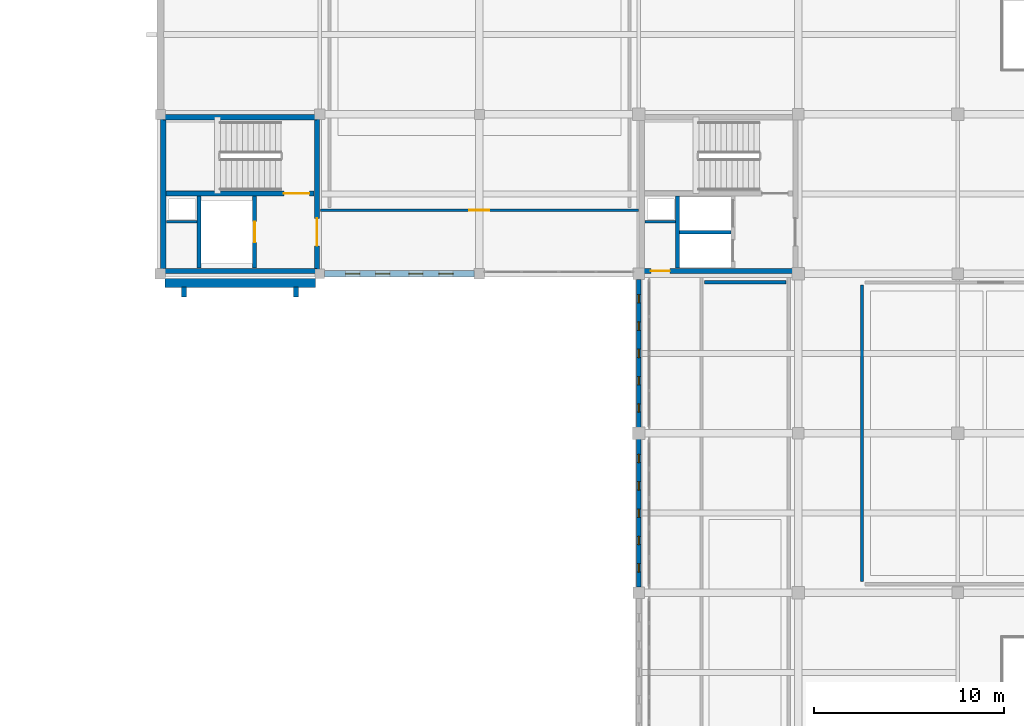
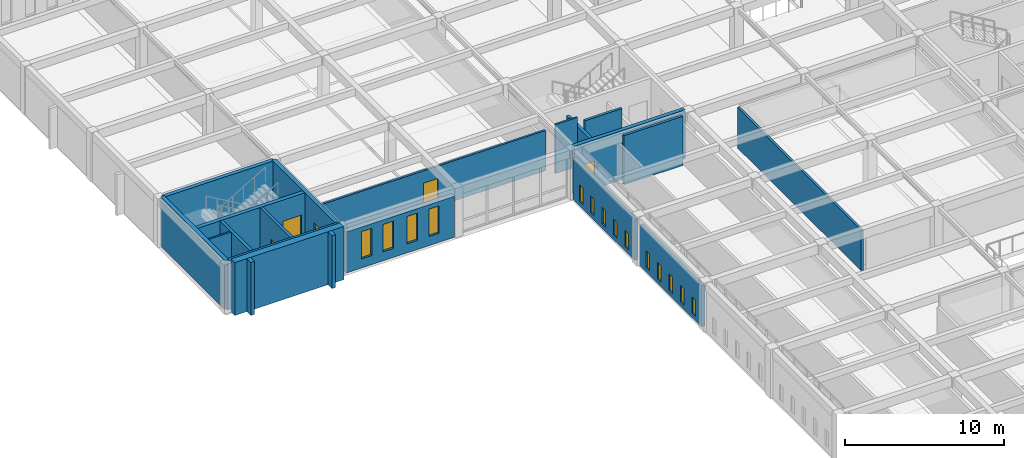
# One storey, part 36 of 47: 21 walls, 14 windows, 5 doors, 19 openings.
"""IFC4 building model written with IfcOpenShell, lengths in metres."""

from ifc_helpers import new_model, si_unit, direction, frame, frame_2d, origin, place, context, subcontext, project, spatial, rectangle, extrude, material, layer, layer_set, type_object, element, fill, save


model = new_model("IFC4")

# Units and contexts
model_context = context("Model", 3, precision=1e-05, world=origin(), true_north=direction((0.0, 1.0)))
body_context = subcontext(model_context, "Body", "Model", "MODEL_VIEW")
ifc_project = project(units=[si_unit("LENGTHUNIT", "METRE"), si_unit("AREAUNIT", "SQUARE_METRE"), si_unit("VOLUMEUNIT", "CUBIC_METRE"), si_unit("PLANEANGLEUNIT", "RADIAN"), si_unit("MASSUNIT", "GRAM", prefix="KILO")], contexts=[model_context])

# Site, building, storey
site_placement = place(None, origin())
site = spatial("IfcSite", under=ifc_project, at=site_placement, CompositionType="ELEMENT")
building_placement = place(site_placement, origin())
building = spatial("IfcBuilding", under=site, at=building_placement, Name="Kveldsbrygga Polytechnic", CompositionType="ELEMENT")
storey_placement = place(building_placement, frame((0.0, 0.0, 13.93994140625)))
storey = spatial("IfcBuildingStorey", under=building, at=storey_placement, Name="L03", CompositionType="ELEMENT", Elevation=13.93994140625)

# Wall
ifc_material_1 = material(Name="Fired clay brick masonry M10", Category="masonry")
ifc_layer_1 = layer(ifc_material_1, 0.47998046875)
ifc_layer_set_1 = layer_set([ifc_layer_1], Name="Fired clay brick masonry M10")
wall_type_1 = type_object("IfcWallType", Name="EW-BAST-480", PredefinedType="SOLIDWALL", material=ifc_layer_set_1)
wall_1_placement = place(storey_placement, frame((101.0400390625, 83.52001953125, 0.0), z_axis=(0.0, 0.0, 1.0), x_axis=(1.0, 0.0, 0.0)))
element("IfcWall", 1, at=wall_1_placement, inside=storey, type_object=wall_type_1, Name="Corner Stair Bastion Wall BAST-L03-X-12-10", PredefinedType="SOLIDWALL", context=body_context, shape_type="SweptSolid", body=[
    extrude(rectangle(XDim=7.919921875, YDim=0.47998046875, at=frame_2d((3.9599609375, 0.0))), origin(), (0.0, 0.0, 1.0), 4.080078125),
])

# Wall, openings, windows
ifc_layer_2 = layer(ifc_material_1, 0.360107421875)
ifc_layer_set_2 = layer_set([ifc_layer_2], Name="Fired clay brick masonry M10")
wall_type_2 = type_object("IfcWallType", Name="EW-BRICK-360", PredefinedType="SOLIDWALL", material=ifc_layer_set_2)
wall_2_placement = place(storey_placement, frame((109.43505859375, 84.0, 0.0), z_axis=(0.0, 0.0, 1.0), x_axis=(1.0, 0.0, 0.0)))
wall_2 = element("IfcWall", 2, at=wall_2_placement, inside=storey, type_object=wall_type_2, Name="Exterior Brick Wall EW-L03-X-13-10", PredefinedType="SOLIDWALL", context=body_context, shape_type="SweptSolid", body=[
    extrude(rectangle(XDim=7.905029296875, YDim=0.360107421875, at=frame_2d((3.95263671875, 0.0))), origin(), (0.0, 0.0, 1.0), 3.150146484375),
])
opening_1_placement = place(wall_2_placement, frame((1.126953125, 0.0, 0.699951171875)))
opening_1 = element("IfcOpeningElement", 3, at=opening_1_placement, cuts=wall_2, Name="Opening W-27", PredefinedType="OPENING", context=body_context, shape_type="SweptSolid", body=[
    extrude(rectangle(XDim=0.75, YDim=2.10009765625, at=frame_2d((0.375, 1.050048828125))), frame((0.0, 0.18994140625, 0.0), z_axis=(0.0, -1.0, 0.0), x_axis=(1.0, 0.0, 0.0)), (0.0, 0.0, 1.0), 0.380126953125),
])
opening_2_placement = place(wall_2_placement, frame((2.7080078125, 0.0, 0.699951171875)))
opening_2 = element("IfcOpeningElement", 4, at=opening_2_placement, cuts=wall_2, Name="Opening W-27", PredefinedType="OPENING", context=body_context, shape_type="SweptSolid", body=[
    extrude(rectangle(XDim=0.75, YDim=2.10009765625, at=frame_2d((0.375, 1.050048828125))), frame((0.0, 0.18994140625, 0.0), z_axis=(0.0, -1.0, 0.0), x_axis=(1.0, 0.0, 0.0)), (0.0, 0.0, 1.0), 0.380126953125),
])
opening_3_placement = place(wall_2_placement, frame((4.447021484375, 0.0, 0.699951171875)))
opening_3 = element("IfcOpeningElement", 5, at=opening_3_placement, cuts=wall_2, Name="Opening W-27", PredefinedType="OPENING", context=body_context, shape_type="SweptSolid", body=[
    extrude(rectangle(XDim=0.75, YDim=2.10009765625, at=frame_2d((0.375, 1.050048828125))), frame((0.0, 0.18994140625, 0.0), z_axis=(0.0, -1.0, 0.0), x_axis=(1.0, 0.0, 0.0)), (0.0, 0.0, 1.0), 0.380126953125),
])
opening_4_placement = place(wall_2_placement, frame((6.028076171875, 0.0, 0.699951171875)))
opening_4 = element("IfcOpeningElement", 6, at=opening_4_placement, cuts=wall_2, Name="Opening W-27", PredefinedType="OPENING", context=body_context, shape_type="SweptSolid", body=[
    extrude(rectangle(XDim=0.75, YDim=2.10009765625, at=frame_2d((0.375, 1.050048828125))), frame((0.0, 0.18994140625, 0.0), z_axis=(0.0, -1.0, 0.0), x_axis=(1.0, 0.0, 0.0)), (0.0, 0.0, 1.0), 0.380126953125),
])
ifc_material_2 = material(Name="Insulated triple low-E glass", Category="glass")
window_type_1 = type_object("IfcWindowType", Name="WN-ATTIC-075x210", PartitioningType="DOUBLE_PANEL_VERTICAL", PredefinedType="WINDOW", material=ifc_material_2)
window_1_placement = place(opening_1_placement, origin())
window_1 = element("IfcWindow", 7, at=window_1_placement, inside=storey, type_object=window_type_1, Name="Gothic Lancet Window WIN-L03-X-13-10-1", OverallHeight=2.10009765625, OverallWidth=0.75, PartitioningType="DOUBLE_PANEL_VERTICAL", PredefinedType="WINDOW", context=body_context, shape_type="SweptSolid", body=[
    extrude(rectangle(XDim=0.75, YDim=2.10009765625, at=frame_2d((0.375, 1.050048828125))), frame((0.0, 0.030029296875, 0.0), z_axis=(0.0, -1.0, 0.0), x_axis=(1.0, 0.0, 0.0)), (0.0, 0.0, 1.0), 0.06005859375),
])
fill(opening_1, window_1)
window_2_placement = place(opening_2_placement, origin())
window_2 = element("IfcWindow", 8, at=window_2_placement, inside=storey, type_object=window_type_1, Name="Gothic Lancet Window WIN-L03-X-13-10-2", OverallHeight=2.10009765625, OverallWidth=0.75, PartitioningType="DOUBLE_PANEL_VERTICAL", PredefinedType="WINDOW", context=body_context, shape_type="SweptSolid", body=[
    extrude(rectangle(XDim=0.75, YDim=2.10009765625, at=frame_2d((0.375, 1.050048828125))), frame((0.0, 0.030029296875, 0.0), z_axis=(0.0, -1.0, 0.0), x_axis=(1.0, 0.0, 0.0)), (0.0, 0.0, 1.0), 0.06005859375),
])
fill(opening_2, window_2)
window_3_placement = place(opening_3_placement, origin())
window_3 = element("IfcWindow", 9, at=window_3_placement, inside=storey, type_object=window_type_1, Name="Gothic Lancet Window WIN-L03-X-13-10-3", OverallHeight=2.10009765625, OverallWidth=0.75, PartitioningType="DOUBLE_PANEL_VERTICAL", PredefinedType="WINDOW", context=body_context, shape_type="SweptSolid", body=[
    extrude(rectangle(XDim=0.75, YDim=2.10009765625, at=frame_2d((0.375, 1.050048828125))), frame((0.0, 0.030029296875, 0.0), z_axis=(0.0, -1.0, 0.0), x_axis=(1.0, 0.0, 0.0)), (0.0, 0.0, 1.0), 0.06005859375),
])
fill(opening_3, window_3)
window_4_placement = place(opening_4_placement, origin())
window_4 = element("IfcWindow", 10, at=window_4_placement, inside=storey, type_object=window_type_1, Name="Gothic Lancet Window WIN-L03-X-13-10-4", OverallHeight=2.10009765625, OverallWidth=0.75, PartitioningType="DOUBLE_PANEL_VERTICAL", PredefinedType="WINDOW", context=body_context, shape_type="SweptSolid", body=[
    extrude(rectangle(XDim=0.75, YDim=2.10009765625, at=frame_2d((0.375, 1.050048828125))), frame((0.0, 0.030029296875, 0.0), z_axis=(0.0, -1.0, 0.0), x_axis=(1.0, 0.0, 0.0)), (0.0, 0.0, 1.0), 0.06005859375),
])
fill(opening_4, window_4)

# Walls
ifc_layer_3 = layer(ifc_material_1, 0.260009765625)
ifc_layer_set_3 = layer_set([ifc_layer_3], Name="Fired clay brick masonry M10")
wall_type_3 = type_object("IfcWallType", Name="EW-BUTT-260", PredefinedType="SOLIDWALL", material=ifc_layer_set_3)
for number, where, z_axis, x_axis, name in (
    (11, (102.050048828125, 83.300048828125, 0.0), (0.0, 0.0, 1.0), (0.0, -1.0, 0.0), "Gothic Brick Buttress Pier BCLAS-L03-X-12-10-1"),
    (12, (107.949951171875, 83.300048828125, 0.0), (0.0, 0.0, 1.0), (0.0, -1.0, 0.0), "Gothic Brick Buttress Pier BCLAS-L03-X-12-10-2"),
):
    element("IfcWall", number, at=place(storey_placement, frame(where, z_axis=z_axis, x_axis=x_axis)), inside=storey, type_object=wall_type_3, Name=name, PredefinedType="SOLIDWALL", context=body_context, shape_type="SweptSolid", body=[
        extrude(rectangle(XDim=0.52001953125, YDim=0.260009765625, at=frame_2d((0.260009765625, 0.0))), origin(), (0.0, 0.0, 1.0), 4.080078125),
    ])

# Wall, openings, windows
ifc_layer_4 = layer(ifc_material_1, 0.239990234375)
ifc_layer_set_4 = layer_set([ifc_layer_4], Name="Fired clay brick masonry M10")
wall_type_4 = type_object("IfcWallType", Name="EW-SCRN-240", PredefinedType="SOLIDWALL", material=ifc_layer_set_4)
wall_3_placement = place(storey_placement, frame((126.0, 67.4951171875, 0.0), z_axis=(0.0, 0.0, 1.0), x_axis=(0.0, 1.0, 0.0)))
wall_3 = element("IfcWall", 13, at=wall_3_placement, inside=storey, type_object=wall_type_4, Name="Perforated Brick Corridor Screen Wall SCRW-L03-Y-15-08", PredefinedType="SOLIDWALL", context=body_context, shape_type="SweptSolid", body=[
    extrude(rectangle(XDim=7.794921875, YDim=0.239990234375, at=frame_2d((3.8974609375, 0.0))), origin(), (0.0, 0.0, 1.0), 3.150146484375),
])
opening_5_placement = place(wall_3_placement, frame((0.799560546875, 0.0, 0.35009765625)))
opening_5 = element("IfcOpeningElement", 14, at=opening_5_placement, cuts=wall_3, Name="Opening W-48", PredefinedType="OPENING", context=body_context, shape_type="SweptSolid", body=[
    extrude(rectangle(XDim=0.43994140625, YDim=1.25, at=frame_2d((0.219970703125, 0.625))), frame((0.0, 0.1298828125, 0.0), z_axis=(0.0, -1.0, 0.0), x_axis=(1.0, 0.0, 0.0)), (0.0, 0.0, 1.0), 0.260009765625),
])
opening_6_placement = place(wall_3_placement, frame((2.238525390625, 0.0, 0.35009765625)))
opening_6 = element("IfcOpeningElement", 15, at=opening_6_placement, cuts=wall_3, Name="Opening W-48", PredefinedType="OPENING", context=body_context, shape_type="SweptSolid", body=[
    extrude(rectangle(XDim=0.43994140625, YDim=1.25, at=frame_2d((0.219970703125, 0.625))), frame((0.0, 0.1298828125, 0.0), z_axis=(0.0, -1.0, 0.0), x_axis=(1.0, 0.0, 0.0)), (0.0, 0.0, 1.0), 0.260009765625),
])
opening_7_placement = place(wall_3_placement, frame((3.677490234375, 0.0, 0.35009765625)))
opening_7 = element("IfcOpeningElement", 16, at=opening_7_placement, cuts=wall_3, Name="Opening W-48", PredefinedType="OPENING", context=body_context, shape_type="SweptSolid", body=[
    extrude(rectangle(XDim=0.43994140625, YDim=1.25, at=frame_2d((0.219970703125, 0.625))), frame((0.0, 0.1298828125, 0.0), z_axis=(0.0, -1.0, 0.0), x_axis=(1.0, 0.0, 0.0)), (0.0, 0.0, 1.0), 0.260009765625),
])
opening_8_placement = place(wall_3_placement, frame((5.116455078125, 0.0, 0.35009765625)))
opening_8 = element("IfcOpeningElement", 17, at=opening_8_placement, cuts=wall_3, Name="Opening W-48", PredefinedType="OPENING", context=body_context, shape_type="SweptSolid", body=[
    extrude(rectangle(XDim=0.43994140625, YDim=1.25, at=frame_2d((0.219970703125, 0.625))), frame((0.0, 0.1298828125, 0.0), z_axis=(0.0, -1.0, 0.0), x_axis=(1.0, 0.0, 0.0)), (0.0, 0.0, 1.0), 0.260009765625),
])
opening_9_placement = place(wall_3_placement, frame((6.555419921875, 0.0, 0.35009765625)))
opening_9 = element("IfcOpeningElement", 18, at=opening_9_placement, cuts=wall_3, Name="Opening W-48", PredefinedType="OPENING", context=body_context, shape_type="SweptSolid", body=[
    extrude(rectangle(XDim=0.43994140625, YDim=1.25, at=frame_2d((0.219970703125, 0.625))), frame((0.0, 0.1298828125, 0.0), z_axis=(0.0, -1.0, 0.0), x_axis=(1.0, 0.0, 0.0)), (0.0, 0.0, 1.0), 0.260009765625),
])
window_type_2 = type_object("IfcWindowType", Name="WN-SCRN-044x125", PartitioningType="SINGLE_PANEL", PredefinedType="WINDOW", material=ifc_material_2)
window_5_placement = place(opening_5_placement, origin())
window_5 = element("IfcWindow", 19, at=window_5_placement, inside=storey, type_object=window_type_2, Name="Perforated Screen Aperture L03-Y-15-08-1", OverallHeight=1.25, OverallWidth=0.43994140625, PartitioningType="SINGLE_PANEL", PredefinedType="WINDOW", context=body_context, shape_type="SweptSolid", body=[
    extrude(rectangle(XDim=0.43994140625, YDim=1.25, at=frame_2d((0.219970703125, 0.625))), frame((0.0, 0.030029296875, 0.0), z_axis=(0.0, -1.0, 0.0), x_axis=(1.0, 0.0, 0.0)), (0.0, 0.0, 1.0), 0.06005859375),
])
fill(opening_5, window_5)
window_6_placement = place(opening_6_placement, origin())
window_6 = element("IfcWindow", 20, at=window_6_placement, inside=storey, type_object=window_type_2, Name="Perforated Screen Aperture L03-Y-15-08-2", OverallHeight=1.25, OverallWidth=0.43994140625, PartitioningType="SINGLE_PANEL", PredefinedType="WINDOW", context=body_context, shape_type="SweptSolid", body=[
    extrude(rectangle(XDim=0.43994140625, YDim=1.25, at=frame_2d((0.219970703125, 0.625))), frame((0.0, 0.030029296875, 0.0), z_axis=(0.0, -1.0, 0.0), x_axis=(1.0, 0.0, 0.0)), (0.0, 0.0, 1.0), 0.06005859375),
])
fill(opening_6, window_6)
window_7_placement = place(opening_7_placement, origin())
window_7 = element("IfcWindow", 21, at=window_7_placement, inside=storey, type_object=window_type_2, Name="Perforated Screen Aperture L03-Y-15-08-3", OverallHeight=1.25, OverallWidth=0.43994140625, PartitioningType="SINGLE_PANEL", PredefinedType="WINDOW", context=body_context, shape_type="SweptSolid", body=[
    extrude(rectangle(XDim=0.43994140625, YDim=1.25, at=frame_2d((0.219970703125, 0.625))), frame((0.0, 0.030029296875, 0.0), z_axis=(0.0, -1.0, 0.0), x_axis=(1.0, 0.0, 0.0)), (0.0, 0.0, 1.0), 0.06005859375),
])
fill(opening_7, window_7)
window_8_placement = place(opening_8_placement, origin())
window_8 = element("IfcWindow", 22, at=window_8_placement, inside=storey, type_object=window_type_2, Name="Perforated Screen Aperture L03-Y-15-08-4", OverallHeight=1.25, OverallWidth=0.43994140625, PartitioningType="SINGLE_PANEL", PredefinedType="WINDOW", context=body_context, shape_type="SweptSolid", body=[
    extrude(rectangle(XDim=0.43994140625, YDim=1.25, at=frame_2d((0.219970703125, 0.625))), frame((0.0, 0.030029296875, 0.0), z_axis=(0.0, -1.0, 0.0), x_axis=(1.0, 0.0, 0.0)), (0.0, 0.0, 1.0), 0.06005859375),
])
fill(opening_8, window_8)
window_9_placement = place(opening_9_placement, origin())
window_9 = element("IfcWindow", 23, at=window_9_placement, inside=storey, type_object=window_type_2, Name="Perforated Screen Aperture L03-Y-15-08-5", OverallHeight=1.25, OverallWidth=0.43994140625, PartitioningType="SINGLE_PANEL", PredefinedType="WINDOW", context=body_context, shape_type="SweptSolid", body=[
    extrude(rectangle(XDim=0.43994140625, YDim=1.25, at=frame_2d((0.219970703125, 0.625))), frame((0.0, 0.030029296875, 0.0), z_axis=(0.0, -1.0, 0.0), x_axis=(1.0, 0.0, 0.0)), (0.0, 0.0, 1.0), 0.06005859375),
])
fill(opening_9, window_9)

wall_4_placement = place(storey_placement, frame((126.0, 75.909912109375, 0.0), z_axis=(0.0, 0.0, 1.0), x_axis=(0.0, 1.0, 0.0)))
wall_4 = element("IfcWall", 24, at=wall_4_placement, inside=storey, type_object=wall_type_4, Name="Perforated Brick Corridor Screen Wall SCRW-L03-Y-15-09", PredefinedType="SOLIDWALL", context=body_context, shape_type="SweptSolid", body=[
    extrude(rectangle(XDim=7.795166015625, YDim=0.239990234375, at=frame_2d((3.8974609375, 0.0))), origin(), (0.0, 0.0, 1.0), 3.150146484375),
])
opening_10_placement = place(wall_4_placement, frame((0.799560546875, 0.0, 0.35009765625)))
opening_10 = element("IfcOpeningElement", 25, at=opening_10_placement, cuts=wall_4, Name="Opening W-48", PredefinedType="OPENING", context=body_context, shape_type="SweptSolid", body=[
    extrude(rectangle(XDim=0.43994140625, YDim=1.25, at=frame_2d((0.219970703125, 0.625))), frame((0.0, 0.1298828125, 0.0), z_axis=(0.0, -1.0, 0.0), x_axis=(1.0, 0.0, 0.0)), (0.0, 0.0, 1.0), 0.260009765625),
])
opening_11_placement = place(wall_4_placement, frame((2.238525390625, 0.0, 0.35009765625)))
opening_11 = element("IfcOpeningElement", 26, at=opening_11_placement, cuts=wall_4, Name="Opening W-48", PredefinedType="OPENING", context=body_context, shape_type="SweptSolid", body=[
    extrude(rectangle(XDim=0.43994140625, YDim=1.25, at=frame_2d((0.219970703125, 0.625))), frame((0.0, 0.1298828125, 0.0), z_axis=(0.0, -1.0, 0.0), x_axis=(1.0, 0.0, 0.0)), (0.0, 0.0, 1.0), 0.260009765625),
])
opening_12_placement = place(wall_4_placement, frame((3.677490234375, 0.0, 0.35009765625)))
opening_12 = element("IfcOpeningElement", 27, at=opening_12_placement, cuts=wall_4, Name="Opening W-48", PredefinedType="OPENING", context=body_context, shape_type="SweptSolid", body=[
    extrude(rectangle(XDim=0.43994140625, YDim=1.25, at=frame_2d((0.219970703125, 0.625))), frame((0.0, 0.1298828125, 0.0), z_axis=(0.0, -1.0, 0.0), x_axis=(1.0, 0.0, 0.0)), (0.0, 0.0, 1.0), 0.260009765625),
])
opening_13_placement = place(wall_4_placement, frame((5.116455078125, 0.0, 0.35009765625)))
opening_13 = element("IfcOpeningElement", 28, at=opening_13_placement, cuts=wall_4, Name="Opening W-48", PredefinedType="OPENING", context=body_context, shape_type="SweptSolid", body=[
    extrude(rectangle(XDim=0.43994140625, YDim=1.25, at=frame_2d((0.219970703125, 0.625))), frame((0.0, 0.1298828125, 0.0), z_axis=(0.0, -1.0, 0.0), x_axis=(1.0, 0.0, 0.0)), (0.0, 0.0, 1.0), 0.260009765625),
])
opening_14_placement = place(wall_4_placement, frame((6.555419921875, 0.0, 0.35009765625)))
opening_14 = element("IfcOpeningElement", 29, at=opening_14_placement, cuts=wall_4, Name="Opening W-48", PredefinedType="OPENING", context=body_context, shape_type="SweptSolid", body=[
    extrude(rectangle(XDim=0.43994140625, YDim=1.25, at=frame_2d((0.219970703125, 0.625))), frame((0.0, 0.1298828125, 0.0), z_axis=(0.0, -1.0, 0.0), x_axis=(1.0, 0.0, 0.0)), (0.0, 0.0, 1.0), 0.260009765625),
])
window_10_placement = place(opening_10_placement, origin())
window_10 = element("IfcWindow", 30, at=window_10_placement, inside=storey, type_object=window_type_2, Name="Perforated Screen Aperture L03-Y-15-09-1", OverallHeight=1.25, OverallWidth=0.43994140625, PartitioningType="SINGLE_PANEL", PredefinedType="WINDOW", context=body_context, shape_type="SweptSolid", body=[
    extrude(rectangle(XDim=0.43994140625, YDim=1.25, at=frame_2d((0.219970703125, 0.625))), frame((0.0, 0.030029296875, 0.0), z_axis=(0.0, -1.0, 0.0), x_axis=(1.0, 0.0, 0.0)), (0.0, 0.0, 1.0), 0.06005859375),
])
fill(opening_10, window_10)
window_11_placement = place(opening_11_placement, origin())
window_11 = element("IfcWindow", 31, at=window_11_placement, inside=storey, type_object=window_type_2, Name="Perforated Screen Aperture L03-Y-15-09-2", OverallHeight=1.25, OverallWidth=0.43994140625, PartitioningType="SINGLE_PANEL", PredefinedType="WINDOW", context=body_context, shape_type="SweptSolid", body=[
    extrude(rectangle(XDim=0.43994140625, YDim=1.25, at=frame_2d((0.219970703125, 0.625))), frame((0.0, 0.030029296875, 0.0), z_axis=(0.0, -1.0, 0.0), x_axis=(1.0, 0.0, 0.0)), (0.0, 0.0, 1.0), 0.06005859375),
])
fill(opening_11, window_11)
window_12_placement = place(opening_12_placement, origin())
window_12 = element("IfcWindow", 32, at=window_12_placement, inside=storey, type_object=window_type_2, Name="Perforated Screen Aperture L03-Y-15-09-3", OverallHeight=1.25, OverallWidth=0.43994140625, PartitioningType="SINGLE_PANEL", PredefinedType="WINDOW", context=body_context, shape_type="SweptSolid", body=[
    extrude(rectangle(XDim=0.43994140625, YDim=1.25, at=frame_2d((0.219970703125, 0.625))), frame((0.0, 0.030029296875, 0.0), z_axis=(0.0, -1.0, 0.0), x_axis=(1.0, 0.0, 0.0)), (0.0, 0.0, 1.0), 0.06005859375),
])
fill(opening_12, window_12)
window_13_placement = place(opening_13_placement, origin())
window_13 = element("IfcWindow", 33, at=window_13_placement, inside=storey, type_object=window_type_2, Name="Perforated Screen Aperture L03-Y-15-09-4", OverallHeight=1.25, OverallWidth=0.43994140625, PartitioningType="SINGLE_PANEL", PredefinedType="WINDOW", context=body_context, shape_type="SweptSolid", body=[
    extrude(rectangle(XDim=0.43994140625, YDim=1.25, at=frame_2d((0.219970703125, 0.625))), frame((0.0, 0.030029296875, 0.0), z_axis=(0.0, -1.0, 0.0), x_axis=(1.0, 0.0, 0.0)), (0.0, 0.0, 1.0), 0.06005859375),
])
fill(opening_13, window_13)
window_14_placement = place(opening_14_placement, origin())
window_14 = element("IfcWindow", 34, at=window_14_placement, inside=storey, type_object=window_type_2, Name="Perforated Screen Aperture L03-Y-15-09-5", OverallHeight=1.25, OverallWidth=0.43994140625, PartitioningType="SINGLE_PANEL", PredefinedType="WINDOW", context=body_context, shape_type="SweptSolid", body=[
    extrude(rectangle(XDim=0.43994140625, YDim=1.25, at=frame_2d((0.219970703125, 0.625))), frame((0.0, 0.030029296875, 0.0), z_axis=(0.0, -1.0, 0.0), x_axis=(1.0, 0.0, 0.0)), (0.0, 0.0, 1.0), 0.06005859375),
])
fill(opening_14, window_14)

# Walls
ifc_material_3 = material(Name="Gypsum acoustic stud partition")
ifc_layer_5 = layer(ifc_material_3, 0.179931640625)
ifc_layer_set_5 = layer_set([ifc_layer_5], Name="Gypsum acoustic stud partition")
wall_type_5 = type_object("IfcWallType", Name="IW-CORR-180", PredefinedType="PARTITIONING", material=ifc_layer_set_5)
wall_5_placement = place(storey_placement, frame((129.449951171875, 83.550048828125, 0.0), z_axis=(0.0, 0.0, 1.0), x_axis=(1.0, 0.0, 0.0)))
element("IfcWall", 35, at=wall_5_placement, inside=storey, type_object=wall_type_5, Name="Partition Wall IW-SP-L03-COM1-N1", PredefinedType="PARTITIONING", context=body_context, shape_type="SweptSolid", body=[
    extrude(rectangle(XDim=4.300048828125, YDim=0.179931640625, at=frame_2d((2.14990234375, 0.0))), origin(), (0.0, 0.0, 1.0), 3.780029296875),
])
ifc_material_4 = material(Name="Moisture-resistant masonry M10", Category="masonry")
ifc_layer_6 = layer(ifc_material_4, 0.1298828125)
ifc_layer_set_6 = layer_set([ifc_layer_6], Name="Moisture-resistant masonry M10")
wall_type_6 = type_object("IfcWallType", Name="IW-SAN-130", PredefinedType="PARTITIONING", material=ifc_layer_set_6)
for number, where, z_axis, x_axis, name in (
    (36, (126.320068359375, 86.739990234375, 0.0), (0.0, 0.0, 1.0), (1.0, 0.0, 0.0), "Core AWC Divider C2-L03-W-RSR"),
    (37, (101.1201171875, 86.739990234375, 0.0), (0.0, 0.0, 1.0), (1.0, 0.0, 0.0), "Core AWC Divider C5-L03-W-RSR"),
):
    element("IfcWall", number, at=place(storey_placement, frame(where, z_axis=z_axis, x_axis=x_axis)), inside=storey, type_object=wall_type_6, Name=name, PredefinedType="PARTITIONING", context=body_context, shape_type="SweptSolid", body=[
        extrude(rectangle(XDim=1.619873046875, YDim=0.1298828125, at=frame_2d((0.81005859375, 0.0))), origin(), (0.0, 0.0, 1.0), 3.780029296875),
    ])

# Wall, opening, door
ifc_layer_7 = layer(ifc_material_3, 0.14990234375)
ifc_layer_set_7 = layer_set([ifc_layer_7], Name="Gypsum acoustic stud partition")
wall_type_7 = type_object("IfcWallType", Name="IW-SEM-150", PredefinedType="PARTITIONING", material=ifc_layer_set_7)
wall_6_placement = place(storey_placement, frame((109.22998046875, 87.35009765625, 0.0), z_axis=(0.0, 0.0, 1.0), x_axis=(1.0, 0.0, 0.0)))
wall_6 = element("IfcWall", 38, at=wall_6_placement, inside=storey, type_object=wall_type_7, Name="Partition Wall IW-SP-L03-SEM31-S1", PredefinedType="PARTITIONING", context=body_context, shape_type="SweptSolid", body=[
    extrude(rectangle(XDim=16.739990234375, YDim=0.14990234375, at=frame_2d((8.3701171875, 0.0))), origin(), (0.0, 0.0, 1.0), 3.10009765625),
])
opening_15_placement = place(wall_6_placement, frame((7.844970703125, 0.0, 0.0)))
opening_15 = element("IfcOpeningElement", 39, at=opening_15_placement, cuts=wall_6, Name="Opening ID-L03-077", PredefinedType="OPENING", context=body_context, shape_type="SweptSolid", body=[
    extrude(rectangle(XDim=1.050048828125, YDim=2.14990234375, at=frame_2d((0.52490234375, 1.074951171875))), frame((0.0, 0.0849609375, 0.0), z_axis=(0.0, -1.0, 0.0), x_axis=(1.0, 0.0, 0.0)), (0.0, 0.0, 1.0), 0.169921875),
])
ifc_material_5 = material(Name="Acoustic oak timber", Category="wood")
door_type_1 = type_object("IfcDoorType", Name="ID-SEM-105x215", OperationType="NOTDEFINED", PredefinedType="DOOR", material=ifc_material_5)
door_1_placement = place(opening_15_placement, origin())
door_1 = element("IfcDoor", 40, at=door_1_placement, inside=storey, type_object=door_type_1, Name="Interior Door ID-L03-077", OperationType="SINGLE_SWING_RIGHT", OverallHeight=2.14990234375, OverallWidth=1.050048828125, PredefinedType="DOOR", context=body_context, shape_type="SweptSolid", body=[
    extrude(rectangle(XDim=1.050048828125, YDim=2.14990234375, at=frame_2d((0.52490234375, 1.074951171875))), frame((0.0, 0.02490234375, 0.0), z_axis=(0.0, -1.0, 0.0), x_axis=(1.0, 0.0, 0.0)), (0.0, 0.0, 1.0), 0.050048828125),
])
fill(opening_15, door_1)

# Wall
ifc_layer_8 = layer(ifc_material_3, 0.159912109375)
ifc_layer_set_8 = layer_set([ifc_layer_8], Name="Gypsum acoustic stud partition")
wall_type_8 = type_object("IfcWallType", Name="IW-STD-160", PredefinedType="PARTITIONING", material=ifc_layer_set_8)
wall_7_placement = place(storey_placement, frame((137.75, 67.800048828125, 0.0), z_axis=(0.0, 0.0, 1.0), x_axis=(0.0, 1.0, 0.0)))
element("IfcWall", 41, at=wall_7_placement, inside=storey, type_object=wall_type_8, Name="Partition Wall IW-SP-L03-STD32-W1", PredefinedType="PARTITIONING", context=body_context, shape_type="SweptSolid", body=[
    extrude(rectangle(XDim=15.599853515625, YDim=0.159912109375, at=frame_2d((7.7998046875, 0.0))), origin(), (0.0, 0.0, 1.0), 3.130126953125),
])

# Wall, opening, door
ifc_material_6 = material(Name="Concrete C45/55", Category="concrete")
ifc_layer_9 = layer(ifc_material_6, 0.280029296875)
ifc_layer_set_9 = layer_set([ifc_layer_9], Name="Concrete C45/55")
wall_type_9 = type_object("IfcWallType", Name="WL-CORE-280", PredefinedType="SHEAR", material=ifc_layer_set_9)
wall_8_placement = place(storey_placement, frame((126.14990234375, 84.14990234375, 0.0), z_axis=(0.0, 0.0, 1.0), x_axis=(1.0, 0.0, 0.0)))
wall_8 = element("IfcWall", 42, at=wall_8_placement, inside=storey, type_object=wall_type_9, Name="Core C2 Shear Wall C2-L03-SW-S", PredefinedType="SHEAR", context=body_context, shape_type="SweptSolid", body=[
    extrude(rectangle(XDim=8.10009765625, YDim=0.280029296875, at=frame_2d((4.050048828125, 0.0))), origin(), (0.0, 0.0, 1.0), 3.780029296875),
])
opening_16_placement = place(wall_8_placement, frame((0.485107421875, 0.0, 0.0)))
opening_16 = element("IfcOpeningElement", 43, at=opening_16_placement, cuts=wall_8, Name="Opening ID-C2-L03-AWC", PredefinedType="OPENING", context=body_context, shape_type="SweptSolid", body=[
    extrude(rectangle(XDim=1.0, YDim=2.14990234375, at=frame_2d((0.5, 1.074951171875))), frame((0.0, 0.14990234375, 0.0), z_axis=(0.0, -1.0, 0.0), x_axis=(1.0, 0.0, 0.0)), (0.0, 0.0, 1.0), 0.300048828125),
])
door_type_2 = type_object("IfcDoorType", Name="ID-AWC-100x215", OperationType="NOTDEFINED", PredefinedType="DOOR", material=ifc_material_5)
door_2_placement = place(opening_16_placement, origin())
door_2 = element("IfcDoor", 44, at=door_2_placement, inside=storey, type_object=door_type_2, Name="Accessible WC Door ID-C2-L03-AWC", OperationType="SINGLE_SWING_RIGHT", OverallHeight=2.14990234375, OverallWidth=1.0, PredefinedType="DOOR", context=body_context, shape_type="SweptSolid", body=[
    extrude(rectangle(XDim=1.0, YDim=2.14990234375, at=frame_2d((0.5, 1.074951171875))), frame((0.0, 0.02490234375, 0.0), z_axis=(0.0, -1.0, 0.0), x_axis=(1.0, 0.0, 0.0)), (0.0, 0.0, 1.0), 0.050048828125),
])
fill(opening_16, door_2)

# Walls
for number, where, z_axis, x_axis, name in (
    (45, (100.949951171875, 84.14990234375, 0.0), (0.0, 0.0, 1.0), (1.0, 0.0, 0.0), "Core C5 Shear Wall C5-L03-SW-S"),
    (46, (100.949951171875, 92.25, 0.0), (0.0, 0.0, 1.0), (1.0, 0.0, 0.0), "Core C5 Shear Wall C5-L03-SW-N"),
    (47, (100.949951171875, 84.14990234375, 0.0), (0.0, 0.0, 1.0), (0.0, 1.0, 0.0), "Core C5 Shear Wall C5-L03-SW-W"),
):
    element("IfcWall", number, at=place(storey_placement, frame(where, z_axis=z_axis, x_axis=x_axis)), inside=storey, type_object=wall_type_9, Name=name, PredefinedType="SHEAR", context=body_context, shape_type="SweptSolid", body=[
        extrude(rectangle(XDim=8.10009765625, YDim=0.280029296875, at=frame_2d((4.050048828125, 0.0))), origin(), (0.0, 0.0, 1.0), 3.780029296875),
    ])

# Wall, opening, door
wall_9_placement = place(storey_placement, frame((109.050048828125, 84.14990234375, 0.0), z_axis=(0.0, 0.0, 1.0), x_axis=(0.0, 1.0, 0.0)))
wall_9 = element("IfcWall", 48, at=wall_9_placement, inside=storey, type_object=wall_type_9, Name="Core C5 Shear Wall C5-L03-SW-E", PredefinedType="SHEAR", context=body_context, shape_type="SweptSolid", body=[
    extrude(rectangle(XDim=8.10009765625, YDim=0.280029296875, at=frame_2d((4.050048828125, 0.0))), origin(), (0.0, 0.0, 1.0), 3.780029296875),
])
opening_17_placement = place(wall_9_placement, frame((1.324951171875, 0.0, 0.0)))
opening_17 = element("IfcOpeningElement", 49, at=opening_17_placement, cuts=wall_9, Name="Opening FD-C5-L03-LOB", PredefinedType="OPENING", context=body_context, shape_type="SweptSolid", body=[
    extrude(rectangle(XDim=1.449951171875, YDim=2.14990234375, at=frame_2d((0.72509765625, 1.074951171875))), frame((0.0, 0.14990234375, 0.0), z_axis=(0.0, -1.0, 0.0), x_axis=(1.0, 0.0, 0.0)), (0.0, 0.0, 1.0), 0.300048828125),
])
ifc_material_7 = material(Name="Powder-coated galvanised steel", Category="steel")
door_type_3 = type_object("IfcDoorType", Name="ID-LOBBY-145x215", OperationType="DOUBLE_DOOR_SINGLE_SWING", PredefinedType="DOOR", material=ifc_material_7)
door_3_placement = place(opening_17_placement, origin())
door_3 = element("IfcDoor", 50, at=door_3_placement, inside=storey, type_object=door_type_3, Name="Core Lobby Fire Door FD-C5-L03-LOB", OperationType="DOUBLE_DOOR_SINGLE_SWING", OverallHeight=2.14990234375, OverallWidth=1.449951171875, PredefinedType="DOOR", context=body_context, shape_type="SweptSolid", body=[
    extrude(rectangle(XDim=1.449951171875, YDim=2.14990234375, at=frame_2d((0.72509765625, 1.074951171875))), frame((0.0, 0.02490234375, 0.0), z_axis=(0.0, -1.0, 0.0), x_axis=(1.0, 0.0, 0.0)), (0.0, 0.0, 1.0), 0.050048828125),
])
fill(opening_17, door_3)

wall_10_placement = place(storey_placement, frame((101.10009765625, 88.22998046875, 0.0), z_axis=(0.0, 0.0, 1.0), x_axis=(1.0, 0.0, 0.0)))
wall_10 = element("IfcWall", 51, at=wall_10_placement, inside=storey, type_object=wall_type_9, Name="Core C5 Shear Wall C5-L03-W-DIV", PredefinedType="SHEAR", context=body_context, shape_type="SweptSolid", body=[
    extrude(rectangle(XDim=7.7998046875, YDim=0.280029296875, at=frame_2d((3.89990234375, 0.0))), origin(), (0.0, 0.0, 1.0), 3.780029296875),
])
opening_18_placement = place(wall_10_placement, frame((6.199951171875, 0.0, 0.0)))
opening_18 = element("IfcOpeningElement", 52, at=opening_18_placement, cuts=wall_10, Name="Opening FD-C5-L03-ST", PredefinedType="OPENING", context=body_context, shape_type="SweptSolid", body=[
    extrude(rectangle(XDim=1.35009765625, YDim=2.14990234375, at=frame_2d((0.675048828125, 1.074951171875))), frame((0.0, 0.14990234375, 0.0), z_axis=(0.0, -1.0, 0.0), x_axis=(1.0, 0.0, 0.0)), (0.0, 0.0, 1.0), 0.300048828125),
])
door_type_4 = type_object("IfcDoorType", Name="ID-STAIR-135x215", OperationType="NOTDEFINED", PredefinedType="DOOR", material=ifc_material_7)
door_4_placement = place(opening_18_placement, origin())
door_4 = element("IfcDoor", 53, at=door_4_placement, inside=storey, type_object=door_type_4, Name="Stair Fire Door FD-C5-L03-ST", OperationType="SINGLE_SWING_RIGHT", OverallHeight=2.14990234375, OverallWidth=1.35009765625, PredefinedType="DOOR", context=body_context, shape_type="SweptSolid", body=[
    extrude(rectangle(XDim=1.35009765625, YDim=2.14990234375, at=frame_2d((0.675048828125, 1.074951171875))), frame((0.0, 0.02490234375, 0.0), z_axis=(0.0, -1.0, 0.0), x_axis=(1.0, 0.0, 0.0)), (0.0, 0.0, 1.0), 0.050048828125),
])
fill(opening_18, door_4)

# Walls
ifc_material_8 = material(Name="Concrete C35/45", Category="concrete")
ifc_layer_10 = layer(ifc_material_8, 0.179931640625)
ifc_layer_set_10 = layer_set([ifc_layer_10], Name="Concrete C35/45")
wall_type_10 = type_object("IfcWallType", Name="WL-SHFT-180", PredefinedType="SHEAR", material=ifc_layer_set_10)
wall_11_placement = place(storey_placement, frame((128.14990234375, 86.199951171875, 0.0), z_axis=(0.0, 0.0, 1.0), x_axis=(1.0, 0.0, 0.0)))
element("IfcWall", 54, at=wall_11_placement, inside=storey, type_object=wall_type_10, Name="Lift Divider Wall C2-L03-W-LMID", PredefinedType="SHEAR", context=body_context, shape_type="SweptSolid", body=[
    extrude(rectangle(XDim=2.7001953125, YDim=0.179931640625, at=frame_2d((1.35009765625, 0.0))), origin(), (0.0, 0.0, 1.0), 3.780029296875),
])
ifc_layer_11 = layer(ifc_material_8, 0.199951171875)
ifc_layer_set_11 = layer_set([ifc_layer_11], Name="Concrete C35/45")
wall_type_11 = type_object("IfcWallType", Name="WL-SHFT-200", PredefinedType="SHEAR", material=ifc_layer_set_11)
wall_12_placement = place(storey_placement, frame((128.0400390625, 84.300048828125, 0.0), z_axis=(0.0, 0.0, 1.0), x_axis=(0.0, 1.0, 0.0)))
element("IfcWall", 55, at=wall_12_placement, inside=storey, type_object=wall_type_11, Name="Lift Back Wall C2-L03-W-LBK", PredefinedType="SHEAR", context=body_context, shape_type="SweptSolid", body=[
    extrude(rectangle(XDim=3.800048828125, YDim=0.199951171875, at=frame_2d((1.89990234375, 0.0))), origin(), (0.0, 0.0, 1.0), 3.050048828125),
])

# Wall, opening, door
wall_13_placement = place(storey_placement, frame((105.760009765625, 84.300048828125, 0.0), z_axis=(0.0, 0.0, 1.0), x_axis=(0.0, 1.0, 0.0)))
wall_13 = element("IfcWall", 56, at=wall_13_placement, inside=storey, type_object=wall_type_11, Name="Lift Front Wall C5-L03-W-LFR", PredefinedType="SHEAR", context=body_context, shape_type="SweptSolid", body=[
    extrude(rectangle(XDim=3.800048828125, YDim=0.199951171875, at=frame_2d((1.89990234375, 0.0))), origin(), (0.0, 0.0, 1.0), 3.780029296875),
])
opening_19_placement = place(wall_13_placement, frame((1.35009765625, 0.0, 0.0)))
opening_19 = element("IfcOpeningElement", 57, at=opening_19_placement, cuts=wall_13, Name="Opening LD-LP-5", PredefinedType="OPENING", context=body_context, shape_type="SweptSolid", body=[
    extrude(rectangle(XDim=1.10009765625, YDim=2.14990234375, at=frame_2d((0.550048828125, 1.074951171875))), frame((0.0, 0.10986328125, 0.0), z_axis=(0.0, -1.0, 0.0), x_axis=(1.0, 0.0, 0.0)), (0.0, 0.0, 1.0), 0.219970703125),
])
ifc_material_9 = material(Name="Brushed stainless steel EN 1.4401", Category="steel")
door_type_5 = type_object("IfcDoorType", Name="LD-PAX-110x215", OperationType="SLIDING_TO_LEFT", PredefinedType="DOOR", material=ifc_material_9)
door_5_placement = place(opening_19_placement, origin())
door_5 = element("IfcDoor", 58, at=door_5_placement, inside=storey, type_object=door_type_5, Name="Lift Landing Sliding Door LD-LP-5-L03", OperationType="SLIDING_TO_LEFT", OverallHeight=2.14990234375, OverallWidth=1.10009765625, PredefinedType="DOOR", context=body_context, shape_type="SweptSolid", body=[
    extrude(rectangle(XDim=1.10009765625, YDim=2.14990234375, at=frame_2d((0.550048828125, 1.074951171875))), frame((0.0, 0.02490234375, 0.0), z_axis=(0.0, -1.0, 0.0), x_axis=(1.0, 0.0, 0.0)), (0.0, 0.0, 1.0), 0.050048828125),
])
fill(opening_19, door_5)

# Wall
wall_14_placement = place(storey_placement, frame((102.840087890625, 84.300048828125, 0.0), z_axis=(0.0, 0.0, 1.0), x_axis=(0.0, 1.0, 0.0)))
element("IfcWall", 59, at=wall_14_placement, inside=storey, type_object=wall_type_11, Name="Lift Back Wall C5-L03-W-LBK", PredefinedType="SHEAR", context=body_context, shape_type="SweptSolid", body=[
    extrude(rectangle(XDim=3.800048828125, YDim=0.199951171875, at=frame_2d((1.89990234375, 0.0))), origin(), (0.0, 0.0, 1.0), 3.780029296875),
])

save(model, "model.ifc")
